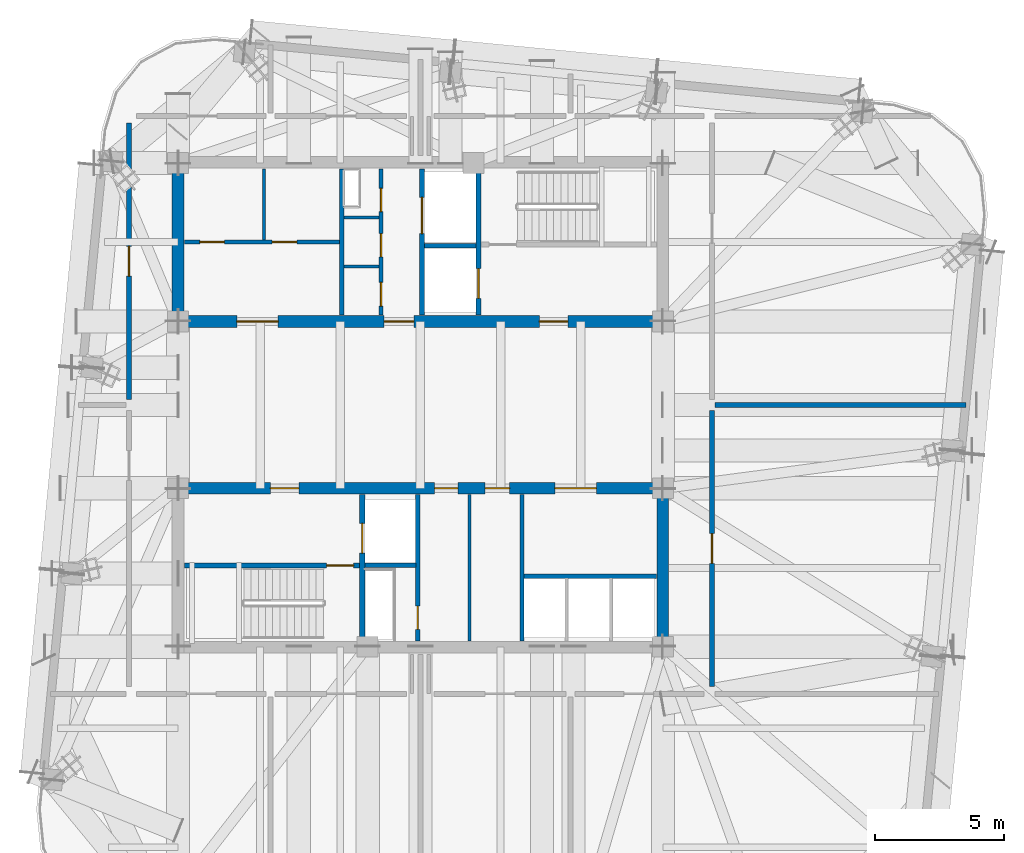
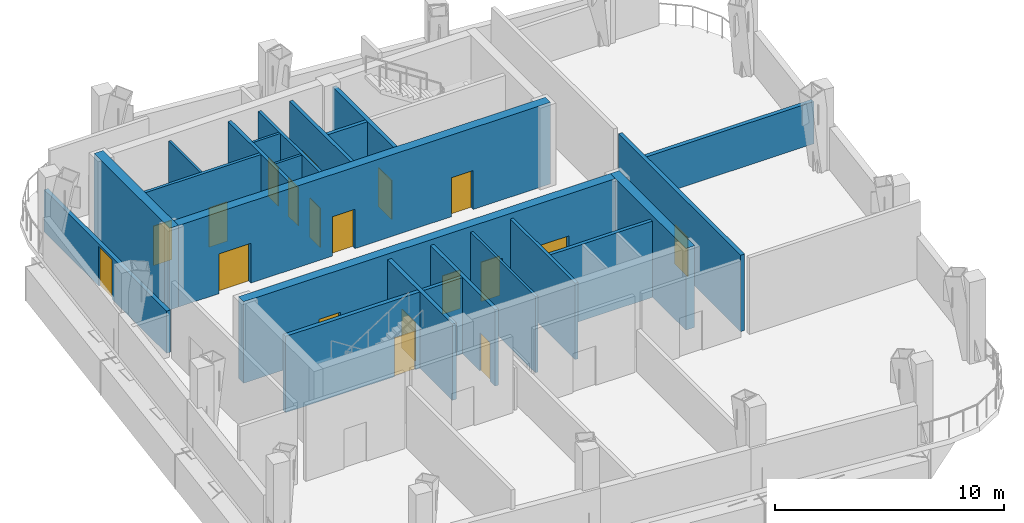
# One storey, part 5 of 9: 23 walls, 19 doors, 19 openings.
"""IFC4 building model written with IfcOpenShell, lengths in metres."""

from ifc_helpers import new_model, si_unit, direction, frame, frame_2d, origin, place, context, subcontext, project, spatial, rectangle, extrude, material, layer, layer_set, type_object, element, fill, save


model = new_model("IFC4")

# Units and contexts
model_context = context("Model", 3, precision=1e-05, world=origin(), true_north=direction((0.0, 1.0)))
body_context = subcontext(model_context, "Body", "Model", "MODEL_VIEW")
ifc_project = project(units=[si_unit("LENGTHUNIT", "METRE"), si_unit("AREAUNIT", "SQUARE_METRE"), si_unit("VOLUMEUNIT", "CUBIC_METRE"), si_unit("PLANEANGLEUNIT", "RADIAN"), si_unit("MASSUNIT", "GRAM", prefix="KILO")], contexts=[model_context])

# Site, building, storey
site_placement = place(None, origin())
site = spatial("IfcSite", under=ifc_project, at=site_placement, CompositionType="ELEMENT")
building_placement = place(site_placement, origin())
building = spatial("IfcBuilding", under=site, at=building_placement, Name="Qhalaya Broadcast Tower", CompositionType="ELEMENT")
storey_placement = place(building_placement, frame((0.0, 0.0, 284.89990234375)))
storey = spatial("IfcBuildingStorey", under=building, at=storey_placement, Name="L84", CompositionType="ELEMENT", Elevation=284.89990234375)

# Wall, openings, doors
ifc_material_1 = material(Name="Gypsum Acoustic Partition")
ifc_layer_1 = layer(ifc_material_1, 0.14990234375, Name="Gypsum Acoustic Partition")
ifc_layer_set_1 = layer_set([ifc_layer_1], Name="Gypsum Acoustic Partition")
wall_type_1 = type_object("IfcWallType", Name="Corridor & Tenancy Acoustic Partition 150", PredefinedType="PARTITIONING", material=ifc_layer_set_1)
wall_1_placement = place(storey_placement, frame((-1.52001953125, 4.070068359375, 0.0), z_axis=(0.0, 0.0, 1.0), x_axis=(0.0, 1.0, 0.0)))
wall_1 = element("IfcWall", 1, at=wall_1_placement, inside=storey, type_object=wall_type_1, Name="L84 Partition Wall NCW-SVL", PredefinedType="PARTITIONING", context=body_context, shape_type="SweptSolid", body=[
    extrude(rectangle(XDim=5.659912109375, YDim=0.14990234375, at=frame_2d((2.830078125, 0.0))), origin(), (0.0, 0.0, 1.0), 4.070068359375),
])
opening_1_placement = place(wall_1_placement, frame((4.0, 0.0, 0.0)))
opening_1 = element("IfcOpeningElement", 2, at=opening_1_placement, cuts=wall_1, Name="Opening D06", PredefinedType="OPENING", context=body_context, shape_type="SweptSolid", body=[
    extrude(rectangle(XDim=0.89990234375, YDim=2.050048828125, at=frame_2d((0.449951171875, 1.02490234375))), frame((0.0, 0.0869140625, 0.0), z_axis=(0.0, -1.0, 0.0), x_axis=(1.0, 0.0, 0.0)), (0.0, 0.0, 1.0), 0.173828125),
])
opening_2_placement = place(wall_1_placement, frame((2.25, 0.0, 0.0)))
opening_2 = element("IfcOpeningElement", 3, at=opening_2_placement, cuts=wall_1, Name="Opening D06", PredefinedType="OPENING", context=body_context, shape_type="SweptSolid", body=[
    extrude(rectangle(XDim=0.89990234375, YDim=2.050048828125, at=frame_2d((0.449951171875, 1.02490234375))), frame((0.0, 0.0869140625, 0.0), z_axis=(0.0, -1.0, 0.0), x_axis=(1.0, 0.0, 0.0)), (0.0, 0.0, 1.0), 0.173828125),
])
opening_3_placement = place(wall_1_placement, frame((0.35009765625, 0.0, 0.0)))
opening_3 = element("IfcOpeningElement", 4, at=opening_3_placement, cuts=wall_1, Name="Opening D12", PredefinedType="OPENING", context=body_context, shape_type="SweptSolid", body=[
    extrude(rectangle(XDim=0.919921875, YDim=2.10009765625, at=frame_2d((0.4599609375, 1.050048828125))), frame((0.0, 0.0869140625, 0.0), z_axis=(0.0, -1.0, 0.0), x_axis=(1.0, 0.0, 0.0)), (0.0, 0.0, 1.0), 0.173828125),
])
ifc_material_2 = material(Name="Timber Veneer Acoustic Door", Category="wood")
door_type_1 = type_object("IfcDoorType", Name="Accessible WC & Restroom Door D12", OperationType="NOTDEFINED", PredefinedType="DOOR", material=ifc_material_2)
door_1_placement = place(opening_3_placement, origin())
door_1 = element("IfcDoor", 5, at=door_1_placement, inside=storey, type_object=door_type_1, Name="L84 Door D-NCWC", OperationType="SINGLE_SWING_RIGHT", OverallHeight=2.10009765625, OverallWidth=0.919921875, PredefinedType="DOOR", context=body_context, shape_type="SweptSolid", body=[
    extrude(rectangle(XDim=0.919921875, YDim=2.10009765625, at=frame_2d((0.4599609375, 1.050048828125))), frame((0.0, 0.02490234375, 0.0), z_axis=(0.0, -1.0, 0.0), x_axis=(1.0, 0.0, 0.0)), (0.0, 0.0, 1.0), 0.050048828125),
])
fill(opening_3, door_1)
ifc_material_3 = material(Name="Fire-Rated Steel Door", Category="steel")
door_type_2 = type_object("IfcDoorType", Name="Riser & Electrical Shaft Access Door D06", OperationType="NOTDEFINED", PredefinedType="DOOR", material=ifc_material_3)
door_2_placement = place(opening_1_placement, origin())
door_2 = element("IfcDoor", 6, at=door_2_placement, inside=storey, type_object=door_type_2, Name="L84 Riser Shaft Access Door D-NRSR", OperationType="SINGLE_SWING_RIGHT", OverallHeight=2.050048828125, OverallWidth=0.89990234375, PredefinedType="DOOR", context=body_context, shape_type="SweptSolid", body=[
    extrude(rectangle(XDim=0.89990234375, YDim=2.050048828125, at=frame_2d((0.449951171875, 1.02490234375))), frame((0.0, 0.02490234375, 0.0), z_axis=(0.0, -1.0, 0.0), x_axis=(1.0, 0.0, 0.0)), (0.0, 0.0, 1.0), 0.050048828125),
])
fill(opening_1, door_2)
door_3_placement = place(opening_2_placement, origin())
door_3 = element("IfcDoor", 7, at=door_3_placement, inside=storey, type_object=door_type_2, Name="L84 Door D-NITR", OperationType="SINGLE_SWING_LEFT", OverallHeight=2.050048828125, OverallWidth=0.89990234375, PredefinedType="DOOR", context=body_context, shape_type="SweptSolid", body=[
    extrude(rectangle(XDim=0.89990234375, YDim=2.050048828125, at=frame_2d((0.449951171875, 1.02490234375))), frame((0.0, 0.02490234375, 0.0), z_axis=(0.0, -1.0, 0.0), x_axis=(1.0, 0.0, 0.0)), (0.0, 0.0, 1.0), 0.050048828125),
])
fill(opening_2, door_3)

wall_2_placement = place(storey_placement, frame((-9.1298828125, 6.89990234375, 0.0), z_axis=(0.0, 0.0, 1.0), x_axis=(1.0, 0.0, 0.0)))
wall_2 = element("IfcWall", 8, at=wall_2_placement, inside=storey, type_object=wall_type_1, Name="L84 Partition Wall NCW-REC1", PredefinedType="PARTITIONING", context=body_context, shape_type="SweptSolid", body=[
    extrude(rectangle(XDim=6.009765625, YDim=0.14990234375, at=frame_2d((3.0048828125, 0.0))), origin(), (0.0, 0.0, 1.0), 4.070068359375),
])
opening_4_placement = place(wall_2_placement, frame((0.60009765625, 0.0, 0.0)))
opening_4 = element("IfcOpeningElement", 9, at=opening_4_placement, cuts=wall_2, Name="Opening D10", PredefinedType="OPENING", context=body_context, shape_type="SweptSolid", body=[
    extrude(rectangle(XDim=0.949951171875, YDim=2.10009765625, at=frame_2d((0.47509765625, 1.050048828125))), frame((0.0, 0.0869140625, 0.0), z_axis=(0.0, -1.0, 0.0), x_axis=(1.0, 0.0, 0.0)), (0.0, 0.0, 1.0), 0.173828125),
])
opening_5_placement = place(wall_2_placement, frame((3.39990234375, 0.0, 0.0)))
opening_5 = element("IfcOpeningElement", 10, at=opening_5_placement, cuts=wall_2, Name="Opening D10", PredefinedType="OPENING", context=body_context, shape_type="SweptSolid", body=[
    extrude(rectangle(XDim=0.949951171875, YDim=2.10009765625, at=frame_2d((0.47509765625, 1.050048828125))), frame((0.0, 0.0869140625, 0.0), z_axis=(0.0, -1.0, 0.0), x_axis=(1.0, 0.0, 0.0)), (0.0, 0.0, 1.0), 0.173828125),
])
door_type_3 = type_object("IfcDoorType", Name="Cellular Office & Edit Booth Door D10", OperationType="NOTDEFINED", PredefinedType="DOOR", material=ifc_material_2)
door_4_placement = place(opening_4_placement, origin())
door_4 = element("IfcDoor", 11, at=door_4_placement, inside=storey, type_object=door_type_3, Name="L84 Door D-NREC1", OperationType="SINGLE_SWING_LEFT", OverallHeight=2.10009765625, OverallWidth=0.949951171875, PredefinedType="DOOR", context=body_context, shape_type="SweptSolid", body=[
    extrude(rectangle(XDim=0.949951171875, YDim=2.10009765625, at=frame_2d((0.47509765625, 1.050048828125))), frame((0.0, 0.02490234375, 0.0), z_axis=(0.0, -1.0, 0.0), x_axis=(1.0, 0.0, 0.0)), (0.0, 0.0, 1.0), 0.050048828125),
])
fill(opening_4, door_4)
door_5_placement = place(opening_5_placement, origin())
door_5 = element("IfcDoor", 12, at=door_5_placement, inside=storey, type_object=door_type_3, Name="L84 Door D-NREC2", OperationType="SINGLE_SWING_RIGHT", OverallHeight=2.10009765625, OverallWidth=0.949951171875, PredefinedType="DOOR", context=body_context, shape_type="SweptSolid", body=[
    extrude(rectangle(XDim=0.949951171875, YDim=2.10009765625, at=frame_2d((0.47509765625, 1.050048828125))), frame((0.0, 0.02490234375, 0.0), z_axis=(0.0, -1.0, 0.0), x_axis=(1.0, 0.0, 0.0)), (0.0, 0.0, 1.0), 0.050048828125),
])
fill(opening_5, door_5)

# Walls
wall_3_placement = place(storey_placement, frame((3.919921875, -8.530029296875, 0.0), z_axis=(0.0, 0.0, 1.0), x_axis=(0.0, 1.0, 0.0)))
element("IfcWall", 13, at=wall_3_placement, inside=storey, type_object=wall_type_1, Name="L84 Partition Wall SCW-HSEP", PredefinedType="PARTITIONING", context=body_context, shape_type="SweptSolid", body=[
    extrude(rectangle(XDim=5.659912109375, YDim=0.14990234375, at=frame_2d((2.830078125, 0.0))), origin(), (0.0, 0.0, 1.0), 4.070068359375),
])
ifc_layer_2 = layer(ifc_material_1, 0.199951171875, Name="Gypsum Acoustic Partition")
ifc_layer_set_2 = layer_set([ifc_layer_2], Name="Gypsum Acoustic Partition")
wall_type_2 = type_object("IfcWallType", Name="Firefighting Lobby & Stair Enclosure Wall 200", PredefinedType="PARTITIONING", material=ifc_layer_set_2)
wall_4_placement = place(storey_placement, frame((11.389892578125, 0.60009765625, 0.0), z_axis=(0.0, 0.0, 1.0), x_axis=(1.0, 0.0, 0.0)))
element("IfcWall", 14, at=wall_4_placement, inside=storey, type_object=wall_type_2, Name="L84 Partition Wall W-PDE1", PredefinedType="PARTITIONING", context=body_context, shape_type="SweptSolid", body=[
    extrude(rectangle(XDim=9.707763671875, YDim=0.199951171875, at=frame_2d((4.85400390625, 0.0))), origin(), (0.0, 0.0, 1.0), 2.25),
])

# Wall, opening, door
wall_5_placement = place(storey_placement, frame((-11.27001953125, 11.489990234375, 0.0), z_axis=(0.0, 0.0, 1.0), x_axis=(0.0, -1.0, 0.0)))
wall_5 = element("IfcWall", 15, at=wall_5_placement, inside=storey, type_object=wall_type_2, Name="L84 Partition Wall W-PCW2", PredefinedType="PARTITIONING", context=body_context, shape_type="SweptSolid", body=[
    extrude(rectangle(XDim=10.679931640625, YDim=0.199951171875, at=frame_2d((5.33984375, 0.0))), origin(), (0.0, 0.0, 1.0), 2.25),
])
opening_6_placement = place(wall_5_placement, frame((4.764892578125, 0.0, 0.0)))
opening_6 = element("IfcOpeningElement", 16, at=opening_6_placement, cuts=wall_5, Name="Opening D05", PredefinedType="OPENING", context=body_context, shape_type="SweptSolid", body=[
    extrude(rectangle(XDim=1.14990234375, YDim=2.10009765625, at=frame_2d((0.574951171875, 1.050048828125))), frame((0.0, 0.112060546875, 0.0), z_axis=(0.0, -1.0, 0.0), x_axis=(1.0, 0.0, 0.0)), (0.0, 0.0, 1.0), 0.223876953125),
])
door_type_4 = type_object("IfcDoorType", Name="Refuge & Plant Room Fire Door D05", OperationType="NOTDEFINED", PredefinedType="DOOR", material=ifc_material_3)
door_6_placement = place(opening_6_placement, origin())
door_6 = element("IfcDoor", 17, at=door_6_placement, inside=storey, type_object=door_type_4, Name="L84 Door D-PCW2", OperationType="SINGLE_SWING_RIGHT", OverallHeight=2.10009765625, OverallWidth=1.14990234375, PredefinedType="DOOR", context=body_context, shape_type="SweptSolid", body=[
    extrude(rectangle(XDim=1.14990234375, YDim=2.10009765625, at=frame_2d((0.574951171875, 1.050048828125))), frame((0.0, 0.02490234375, 0.0), z_axis=(0.0, -1.0, 0.0), x_axis=(1.0, 0.0, 0.0)), (0.0, 0.0, 1.0), 0.050048828125),
])
fill(opening_6, door_6)

wall_6_placement = place(storey_placement, frame((11.27001953125, -10.2900390625, 0.0), z_axis=(0.0, 0.0, 1.0), x_axis=(0.0, 1.0, 0.0)))
wall_6 = element("IfcWall", 18, at=wall_6_placement, inside=storey, type_object=wall_type_2, Name="L84 Partition Wall W-PCE1", PredefinedType="PARTITIONING", context=body_context, shape_type="SweptSolid", body=[
    extrude(rectangle(XDim=10.679931640625, YDim=0.199951171875, at=frame_2d((5.33984375, 0.0))), origin(), (0.0, 0.0, 1.0), 4.070068359375),
])
opening_7_placement = place(wall_6_placement, frame((4.764892578125, 0.0, 0.0)))
opening_7 = element("IfcOpeningElement", 19, at=opening_7_placement, cuts=wall_6, Name="Opening D05", PredefinedType="OPENING", context=body_context, shape_type="SweptSolid", body=[
    extrude(rectangle(XDim=1.14990234375, YDim=2.10009765625, at=frame_2d((0.574951171875, 1.050048828125))), frame((0.0, 0.112060546875, 0.0), z_axis=(0.0, -1.0, 0.0), x_axis=(1.0, 0.0, 0.0)), (0.0, 0.0, 1.0), 0.223876953125),
])
door_7_placement = place(opening_7_placement, origin())
door_7 = element("IfcDoor", 20, at=door_7_placement, inside=storey, type_object=door_type_4, Name="L84 Door D-PCE1", OperationType="SINGLE_SWING_RIGHT", OverallHeight=2.10009765625, OverallWidth=1.14990234375, PredefinedType="DOOR", context=body_context, shape_type="SweptSolid", body=[
    extrude(rectangle(XDim=1.14990234375, YDim=2.10009765625, at=frame_2d((0.574951171875, 1.050048828125))), frame((0.0, 0.02490234375, 0.0), z_axis=(0.0, -1.0, 0.0), x_axis=(1.0, 0.0, 0.0)), (0.0, 0.0, 1.0), 0.050048828125),
])
fill(opening_7, door_7)

ifc_material_4 = material(Name="Concrete C50/60", Category="concrete")
ifc_layer_3 = layer(ifc_material_4, 0.199951171875, Name="Concrete C50/60")
ifc_layer_set_3 = layer_set([ifc_layer_3], Name="Concrete C50/60")
wall_type_3 = type_object("IfcWallType", Name="Load-Bearing Stair Shaft Wall 200", PredefinedType="SHEAR", material=ifc_layer_set_3)
wall_7_placement = place(storey_placement, frame((2.25, 4.070068359375, 0.0), z_axis=(0.0, 0.0, 1.0), x_axis=(0.0, 1.0, 0.0)))
wall_7 = element("IfcWall", 21, at=wall_7_placement, inside=storey, type_object=wall_type_3, Name="L84 Stair Core Shear Wall NCW-FF", PredefinedType="SHEAR", context=body_context, shape_type="SweptSolid", body=[
    extrude(rectangle(XDim=5.659912109375, YDim=0.199951171875, at=frame_2d((2.830078125, 0.0))), origin(), (0.0, 0.0, 1.0), 4.070068359375),
])
opening_8_placement = place(wall_7_placement, frame((0.64990234375, 0.0, 0.0)))
opening_8 = element("IfcOpeningElement", 22, at=opening_8_placement, cuts=wall_7, Name="Opening LD2", PredefinedType="OPENING", context=body_context, shape_type="SweptSolid", body=[
    extrude(rectangle(XDim=1.14990234375, YDim=2.080078125, at=frame_2d((0.574951171875, 1.0400390625))), frame((0.0, 0.112060546875, 0.0), z_axis=(0.0, -1.0, 0.0), x_axis=(1.0, 0.0, 0.0)), (0.0, 0.0, 1.0), 0.223876953125),
])
ifc_material_5 = material(Name="Brushed Stainless Steel Lift Door", Category="steel")
door_type_5 = type_object("IfcDoorType", Name="Firefighting Lift Sliding Landing Door LD2", OperationType="DOUBLE_DOOR_SLIDING", PredefinedType="DOOR", material=ifc_material_5)
door_8_placement = place(opening_8_placement, origin())
door_8 = element("IfcDoor", 23, at=door_8_placement, inside=storey, type_object=door_type_5, Name="L84 Door LD-FF1", OperationType="DOUBLE_DOOR_SLIDING", OverallHeight=2.080078125, OverallWidth=1.14990234375, PredefinedType="DOOR", context=body_context, shape_type="SweptSolid", body=[
    extrude(rectangle(XDim=1.14990234375, YDim=2.080078125, at=frame_2d((0.574951171875, 1.0400390625))), frame((0.0, 0.02490234375, 0.0), z_axis=(0.0, -1.0, 0.0), x_axis=(1.0, 0.0, 0.0)), (0.0, 0.0, 1.0), 0.050048828125),
])
fill(opening_8, door_8)

wall_8_placement = place(storey_placement, frame((-9.1298828125, -5.60498046875, 0.0), z_axis=(0.0, 0.0, 1.0), x_axis=(1.0, 0.0, 0.0)))
wall_8 = element("IfcWall", 24, at=wall_8_placement, inside=storey, type_object=wall_type_3, Name="L84 Stair Core Shear Wall SCW-ST2", PredefinedType="SHEAR", context=body_context, shape_type="SweptSolid", body=[
    extrude(rectangle(XDim=6.769775390625, YDim=0.199951171875, at=frame_2d((3.384765625, 0.0))), origin(), (0.0, 0.0, 1.0), 4.070068359375),
])
opening_9_placement = place(wall_8_placement, frame((5.5, 0.0, 0.0)))
opening_9 = element("IfcOpeningElement", 25, at=opening_9_placement, cuts=wall_8, Name="Opening D03", PredefinedType="OPENING", context=body_context, shape_type="SweptSolid", body=[
    extrude(rectangle(XDim=1.050048828125, YDim=2.080078125, at=frame_2d((0.52490234375, 1.0400390625))), frame((0.0, 0.112060546875, 0.0), z_axis=(0.0, -1.0, 0.0), x_axis=(1.0, 0.0, 0.0)), (0.0, 0.0, 1.0), 0.223876953125),
])
door_type_6 = type_object("IfcDoorType", Name="Core Stair Protected Fire Door D03", OperationType="NOTDEFINED", PredefinedType="DOOR", material=ifc_material_3)
door_9_placement = place(opening_9_placement, origin())
door_9 = element("IfcDoor", 26, at=door_9_placement, inside=storey, type_object=door_type_6, Name="L84 Door D-SST2", OperationType="SINGLE_SWING_RIGHT", OverallHeight=2.080078125, OverallWidth=1.050048828125, PredefinedType="DOOR", context=body_context, shape_type="SweptSolid", body=[
    extrude(rectangle(XDim=1.050048828125, YDim=2.080078125, at=frame_2d((0.52490234375, 1.0400390625))), frame((0.0, 0.02490234375, 0.0), z_axis=(0.0, -1.0, 0.0), x_axis=(1.0, 0.0, 0.0)), (0.0, 0.0, 1.0), 0.050048828125),
])
fill(opening_9, door_9)

wall_9_placement = place(storey_placement, frame((-2.25, -8.530029296875, 0.0), z_axis=(0.0, 0.0, 1.0), x_axis=(0.0, 1.0, 0.0)))
wall_9 = element("IfcWall", 27, at=wall_9_placement, inside=storey, type_object=wall_type_3, Name="L84 Stair Core Shear Wall SCW-FF", PredefinedType="SHEAR", context=body_context, shape_type="SweptSolid", body=[
    extrude(rectangle(XDim=5.659912109375, YDim=0.199951171875, at=frame_2d((2.830078125, 0.0))), origin(), (0.0, 0.0, 1.0), 4.070068359375),
])
opening_10_placement = place(wall_9_placement, frame((3.39990234375, 0.0, 0.0)))
opening_10 = element("IfcOpeningElement", 28, at=opening_10_placement, cuts=wall_9, Name="Opening LD2", PredefinedType="OPENING", context=body_context, shape_type="SweptSolid", body=[
    extrude(rectangle(XDim=1.14990234375, YDim=2.080078125, at=frame_2d((0.574951171875, 1.0400390625))), frame((0.0, 0.112060546875, 0.0), z_axis=(0.0, -1.0, 0.0), x_axis=(1.0, 0.0, 0.0)), (0.0, 0.0, 1.0), 0.223876953125),
])
door_10_placement = place(opening_10_placement, origin())
door_10 = element("IfcDoor", 29, at=door_10_placement, inside=storey, type_object=door_type_5, Name="L84 Door LD-FF2", OperationType="DOUBLE_DOOR_SLIDING", OverallHeight=2.080078125, OverallWidth=1.14990234375, PredefinedType="DOOR", context=body_context, shape_type="SweptSolid", body=[
    extrude(rectangle(XDim=1.14990234375, YDim=2.080078125, at=frame_2d((0.574951171875, 1.0400390625))), frame((0.0, 0.02490234375, 0.0), z_axis=(0.0, -1.0, 0.0), x_axis=(1.0, 0.0, 0.0)), (0.0, 0.0, 1.0), 0.050048828125),
])
fill(opening_10, door_10)

# Walls
ifc_layer_4 = layer(ifc_material_1, 0.1201171875, Name="Gypsum Acoustic Partition")
ifc_layer_set_4 = layer_set([ifc_layer_4], Name="Gypsum Acoustic Partition")
wall_type_4 = type_object("IfcWallType", Name="Office, Booth & Sanitary Partition 120", PredefinedType="PARTITIONING", material=ifc_layer_set_4)
for number, where, z_axis, x_axis, name in (
    (30, (-2.9599609375, 5.949951171875, 0.0), (0.0, 0.0, 1.0), (1.0, 0.0, 0.0), "L84 Partition Wall NCW-VB1"),
    (31, (-2.9599609375, 7.85009765625, 0.0), (0.0, 0.0, 1.0), (1.0, 0.0, 0.0), "L84 Partition Wall NCW-VB2"),
):
    element("IfcWall", number, at=place(storey_placement, frame(where, z_axis=z_axis, x_axis=x_axis)), inside=storey, type_object=wall_type_4, Name=name, PredefinedType="PARTITIONING", context=body_context, shape_type="SweptSolid", body=[
        extrude(rectangle(XDim=1.35986328125, YDim=0.1201171875, at=frame_2d((0.679931640625, 0.0))), origin(), (0.0, 0.0, 1.0), 4.070068359375),
    ])
wall_10_placement = place(storey_placement, frame((-6.050048828125, 6.97998046875, 0.0), z_axis=(0.0, 0.0, 1.0), x_axis=(0.0, 1.0, 0.0)))
element("IfcWall", 32, at=wall_10_placement, inside=storey, type_object=wall_type_4, Name="L84 Partition Wall NCW-REC2", PredefinedType="PARTITIONING", context=body_context, shape_type="SweptSolid", body=[
    extrude(rectangle(XDim=2.75, YDim=0.1201171875, at=frame_2d((1.375, 0.0))), origin(), (0.0, 0.0, 1.0), 4.070068359375),
])
wall_11_placement = place(storey_placement, frame((1.89990234375, -8.530029296875, 0.0), z_axis=(0.0, 0.0, 1.0), x_axis=(0.0, 1.0, 0.0)))
element("IfcWall", 33, at=wall_11_placement, inside=storey, type_object=wall_type_4, Name="L84 Partition Wall SCW-RKB", PredefinedType="PARTITIONING", context=body_context, shape_type="SweptSolid", body=[
    extrude(rectangle(XDim=5.659912109375, YDim=0.1201171875, at=frame_2d((2.830078125, 0.0))), origin(), (0.0, 0.0, 1.0), 4.070068359375),
])

# Wall, opening, door
ifc_layer_5 = layer(ifc_material_1, 0.175048828125, Name="Gypsum Acoustic Partition")
ifc_layer_set_5 = layer_set([ifc_layer_5], Name="Gypsum Acoustic Partition")
wall_type_5 = type_object("IfcWallType", Name="Shaft & Riser Fire Partition 175", PredefinedType="PARTITIONING", material=ifc_layer_set_5)
wall_12_placement = place(storey_placement, frame((0.06005859375, 4.070068359375, 0.0), z_axis=(0.0, 0.0, 1.0), x_axis=(0.0, 1.0, 0.0)))
wall_12 = element("IfcWall", 34, at=wall_12_placement, inside=storey, type_object=wall_type_5, Name="L84 Partition Wall NCW-SVW", PredefinedType="PARTITIONING", context=body_context, shape_type="SweptSolid", body=[
    extrude(rectangle(XDim=5.659912109375, YDim=0.175048828125, at=frame_2d((2.830078125, 0.0))), origin(), (0.0, 0.0, 1.0), 4.070068359375),
])
opening_11_placement = place(wall_12_placement, frame((3.14990234375, 0.0, 0.0)))
opening_11 = element("IfcOpeningElement", 35, at=opening_11_placement, cuts=wall_12, Name="Opening LD3", PredefinedType="OPENING", context=body_context, shape_type="SweptSolid", body=[
    extrude(rectangle(XDim=1.39990234375, YDim=2.1201171875, at=frame_2d((0.699951171875, 1.06005859375))), frame((0.0, 0.099609375, 0.0), z_axis=(0.0, -1.0, 0.0), x_axis=(1.0, 0.0, 0.0)), (0.0, 0.0, 1.0), 0.198974609375),
])
door_type_7 = type_object("IfcDoorType", Name="Service Lift Wide Sliding Landing Door LD3", OperationType="DOUBLE_DOOR_SLIDING", PredefinedType="DOOR", material=ifc_material_5)
door_11_placement = place(opening_11_placement, origin())
door_11 = element("IfcDoor", 36, at=door_11_placement, inside=storey, type_object=door_type_7, Name="L84 Door LD-SV1", OperationType="DOUBLE_DOOR_SLIDING", OverallHeight=2.1201171875, OverallWidth=1.39990234375, PredefinedType="DOOR", context=body_context, shape_type="SweptSolid", body=[
    extrude(rectangle(XDim=1.39990234375, YDim=2.1201171875, at=frame_2d((0.699951171875, 1.06005859375))), frame((0.0, 0.02490234375, 0.0), z_axis=(0.0, -1.0, 0.0), x_axis=(1.0, 0.0, 0.0)), (0.0, 0.0, 1.0), 0.050048828125),
])
fill(opening_11, door_11)

# Walls
wall_13_placement = place(storey_placement, frame((0.159912109375, 6.75, 0.0), z_axis=(0.0, 0.0, 1.0), x_axis=(1.0, 0.0, 0.0)))
element("IfcWall", 37, at=wall_13_placement, inside=storey, type_object=wall_type_5, Name="L84 Partition Wall NCW-SVM", PredefinedType="PARTITIONING", context=body_context, shape_type="SweptSolid", body=[
    extrude(rectangle(XDim=1.97998046875, YDim=0.175048828125, at=frame_2d((0.989990234375, 0.0))), origin(), (0.0, 0.0, 1.0), 4.070068359375),
])
wall_14_placement = place(storey_placement, frame((-3.0400390625, 4.070068359375, 0.0), z_axis=(0.0, 0.0, 1.0), x_axis=(0.0, 1.0, 0.0)))
element("IfcWall", 38, at=wall_14_placement, inside=storey, type_object=wall_type_5, Name="L84 Partition Wall NCW-VRW", PredefinedType="PARTITIONING", context=body_context, shape_type="SweptSolid", body=[
    extrude(rectangle(XDim=5.659912109375, YDim=0.175048828125, at=frame_2d((2.830078125, 0.0))), origin(), (0.0, 0.0, 1.0), 4.070068359375),
])

# Wall, opening, door
wall_15_placement = place(storey_placement, frame((-0.10009765625, -8.530029296875, 0.0), z_axis=(0.0, 0.0, 1.0), x_axis=(0.0, 1.0, 0.0)))
wall_15 = element("IfcWall", 39, at=wall_15_placement, inside=storey, type_object=wall_type_5, Name="L84 Partition Wall SCW-FFE", PredefinedType="PARTITIONING", context=body_context, shape_type="SweptSolid", body=[
    extrude(rectangle(XDim=5.659912109375, YDim=0.175048828125, at=frame_2d((2.830078125, 0.0))), origin(), (0.0, 0.0, 1.0), 4.070068359375),
])
opening_12_placement = place(wall_15_placement, frame((0.449951171875, 0.0, 0.0)))
opening_12 = element("IfcOpeningElement", 40, at=opening_12_placement, cuts=wall_15, Name="Opening D06", PredefinedType="OPENING", context=body_context, shape_type="SweptSolid", body=[
    extrude(rectangle(XDim=0.89990234375, YDim=2.050048828125, at=frame_2d((0.449951171875, 1.02490234375))), frame((0.0, 0.099609375, 0.0), z_axis=(0.0, -1.0, 0.0), x_axis=(1.0, 0.0, 0.0)), (0.0, 0.0, 1.0), 0.198974609375),
])
door_12_placement = place(opening_12_placement, origin())
door_12 = element("IfcDoor", 41, at=door_12_placement, inside=storey, type_object=door_type_2, Name="L84 Riser Shaft Access Door D-SRSR", OperationType="SINGLE_SWING_LEFT", OverallHeight=2.050048828125, OverallWidth=0.89990234375, PredefinedType="DOOR", context=body_context, shape_type="SweptSolid", body=[
    extrude(rectangle(XDim=0.89990234375, YDim=2.050048828125, at=frame_2d((0.449951171875, 1.02490234375))), frame((0.0, 0.02490234375, 0.0), z_axis=(0.0, -1.0, 0.0), x_axis=(1.0, 0.0, 0.0)), (0.0, 0.0, 1.0), 0.050048828125),
])
fill(opening_12, door_12)

# Walls
wall_16_placement = place(storey_placement, frame((-2.14990234375, -5.60009765625, 0.0), z_axis=(0.0, 0.0, 1.0), x_axis=(1.0, 0.0, 0.0)))
element("IfcWall", 42, at=wall_16_placement, inside=storey, type_object=wall_type_5, Name="L84 Partition Wall SCW-FFM", PredefinedType="PARTITIONING", context=body_context, shape_type="SweptSolid", body=[
    extrude(rectangle(XDim=1.969970703125, YDim=0.175048828125, at=frame_2d((0.98486328125, 0.0))), origin(), (0.0, 0.0, 1.0), 4.070068359375),
])
wall_17_placement = place(storey_placement, frame((4.0, -6.02001953125, 0.0), z_axis=(0.0, 0.0, 1.0), x_axis=(1.0, 0.0, 0.0)))
element("IfcWall", 43, at=wall_17_placement, inside=storey, type_object=wall_type_5, Name="L84 Partition Wall SCW-SLB", PredefinedType="PARTITIONING", context=body_context, shape_type="SweptSolid", body=[
    extrude(rectangle(XDim=5.1298828125, YDim=0.175048828125, at=frame_2d((2.56494140625, 0.0))), origin(), (0.0, 0.0, 1.0), 4.070068359375),
])

# Wall, openings, doors
ifc_layer_6 = layer(ifc_material_4, 0.449951171875, Name="Concrete C50/60")
ifc_layer_set_6 = layer_set([ifc_layer_6], Name="Concrete C50/60")
wall_type_6 = type_object("IfcWallType", Name="Upper Split-Core Shear Wall 450", PredefinedType="SHEAR", material=ifc_layer_set_6)
wall_18_placement = place(storey_placement, frame((-9.60009765625, 3.824951171875, 0.0), z_axis=(0.0, 0.0, 1.0), x_axis=(1.0, 0.0, 0.0)))
wall_18 = element("IfcWall", 44, at=wall_18_placement, inside=storey, type_object=wall_type_6, Name="L84 Split-Core Shear Wall CW-NS", PredefinedType="SHEAR", context=body_context, shape_type="SweptSolid", body=[
    extrude(rectangle(XDim=19.2001953125, YDim=0.449951171875, at=frame_2d((9.60009765625, 0.0))), origin(), (0.0, 0.0, 1.0), 4.35009765625),
])
opening_13_placement = place(wall_18_placement, frame((14.199951171875, 0.0, 0.0)))
opening_13 = element("IfcOpeningElement", 45, at=opening_13_placement, cuts=wall_18, Name="Opening D04", PredefinedType="OPENING", context=body_context, shape_type="SweptSolid", body=[
    extrude(rectangle(XDim=1.10009765625, YDim=2.080078125, at=frame_2d((0.550048828125, 1.0400390625))), frame((0.0, 0.237060546875, 0.0), z_axis=(0.0, -1.0, 0.0), x_axis=(1.0, 0.0, 0.0)), (0.0, 0.0, 1.0), 0.473876953125),
])
opening_14_placement = place(wall_18_placement, frame((8.199951171875, 0.0, 0.0)))
opening_14 = element("IfcOpeningElement", 46, at=opening_14_placement, cuts=wall_18, Name="Opening D05", PredefinedType="OPENING", context=body_context, shape_type="SweptSolid", body=[
    extrude(rectangle(XDim=1.14990234375, YDim=2.10009765625, at=frame_2d((0.574951171875, 1.050048828125))), frame((0.0, 0.237060546875, 0.0), z_axis=(0.0, -1.0, 0.0), x_axis=(1.0, 0.0, 0.0)), (0.0, 0.0, 1.0), 0.473876953125),
])
opening_15_placement = place(wall_18_placement, frame((2.5, 0.0, 0.0)))
opening_15 = element("IfcOpeningElement", 47, at=opening_15_placement, cuts=wall_18, Name="Opening D07", PredefinedType="OPENING", context=body_context, shape_type="SweptSolid", body=[
    extrude(rectangle(XDim=1.60009765625, YDim=2.1201171875, at=frame_2d((0.800048828125, 1.06005859375))), frame((0.0, 0.237060546875, 0.0), z_axis=(0.0, -1.0, 0.0), x_axis=(1.0, 0.0, 0.0)), (0.0, 0.0, 1.0), 0.473876953125),
])
door_type_8 = type_object("IfcDoorType", Name="Firefighting Lobby Rated Door D04", OperationType="NOTDEFINED", PredefinedType="DOOR", material=ifc_material_3)
door_13_placement = place(opening_13_placement, origin())
door_13 = element("IfcDoor", 48, at=door_13_placement, inside=storey, type_object=door_type_8, Name="L84 Door D-NFF", OperationType="SINGLE_SWING_RIGHT", OverallHeight=2.080078125, OverallWidth=1.10009765625, PredefinedType="DOOR", context=body_context, shape_type="SweptSolid", body=[
    extrude(rectangle(XDim=1.10009765625, YDim=2.080078125, at=frame_2d((0.550048828125, 1.0400390625))), frame((0.0, 0.02490234375, 0.0), z_axis=(0.0, -1.0, 0.0), x_axis=(1.0, 0.0, 0.0)), (0.0, 0.0, 1.0), 0.050048828125),
])
fill(opening_13, door_13)
ifc_material_6 = material(Name="Anodised Aluminium Glazed Door", Category="aluminium")
door_type_9 = type_object("IfcDoorType", Name="Passenger Lift Lobby Double Glazed Door D07", OperationType="DOUBLE_DOOR_SINGLE_SWING", PredefinedType="DOOR", material=ifc_material_6)
door_14_placement = place(opening_15_placement, origin())
door_14 = element("IfcDoor", 49, at=door_14_placement, inside=storey, type_object=door_type_9, Name="L84 Door D-NRECV", OperationType="DOUBLE_DOOR_SINGLE_SWING", OverallHeight=2.1201171875, OverallWidth=1.60009765625, PredefinedType="DOOR", context=body_context, shape_type="SweptSolid", body=[
    extrude(rectangle(XDim=1.60009765625, YDim=2.1201171875, at=frame_2d((0.800048828125, 1.06005859375))), frame((0.0, 0.02490234375, 0.0), z_axis=(0.0, -1.0, 0.0), x_axis=(1.0, 0.0, 0.0)), (0.0, 0.0, 1.0), 0.050048828125),
])
fill(opening_15, door_14)
door_15_placement = place(opening_14_placement, origin())
door_15 = element("IfcDoor", 50, at=door_15_placement, inside=storey, type_object=door_type_4, Name="L84 Door D-NSVL", OperationType="SINGLE_SWING_LEFT", OverallHeight=2.10009765625, OverallWidth=1.14990234375, PredefinedType="DOOR", context=body_context, shape_type="SweptSolid", body=[
    extrude(rectangle(XDim=1.14990234375, YDim=2.10009765625, at=frame_2d((0.574951171875, 1.050048828125))), frame((0.0, 0.02490234375, 0.0), z_axis=(0.0, -1.0, 0.0), x_axis=(1.0, 0.0, 0.0)), (0.0, 0.0, 1.0), 0.050048828125),
])
fill(opening_14, door_15)

# Wall
wall_19_placement = place(storey_placement, frame((-9.375, 3.60009765625, 0.0), z_axis=(0.0, 0.0, 1.0), x_axis=(0.0, 1.0, 0.0)))
element("IfcWall", 51, at=wall_19_placement, inside=storey, type_object=wall_type_6, Name="L84 Split-Core Shear Wall CW-NW", PredefinedType="SHEAR", context=body_context, shape_type="SweptSolid", body=[
    extrude(rectangle(XDim=6.599853515625, YDim=0.449951171875, at=frame_2d((3.2998046875, 0.0))), origin(), (0.0, 0.0, 1.0), 4.35009765625),
])

# Wall, openings, doors
wall_20_placement = place(storey_placement, frame((-9.60009765625, -2.625, 0.0), z_axis=(0.0, 0.0, 1.0), x_axis=(1.0, 0.0, 0.0)))
wall_20 = element("IfcWall", 52, at=wall_20_placement, inside=storey, type_object=wall_type_6, Name="L84 Split-Core Shear Wall CW-SN", PredefinedType="SHEAR", context=body_context, shape_type="SweptSolid", body=[
    extrude(rectangle(XDim=19.2001953125, YDim=0.449951171875, at=frame_2d((9.60009765625, 0.0))), origin(), (0.0, 0.0, 1.0), 4.35009765625),
])
opening_16_placement = place(wall_20_placement, frame((3.800048828125, 0.0, 0.0)))
opening_16 = element("IfcOpeningElement", 53, at=opening_16_placement, cuts=wall_20, Name="Opening D04", PredefinedType="OPENING", context=body_context, shape_type="SweptSolid", body=[
    extrude(rectangle(XDim=1.10009765625, YDim=2.080078125, at=frame_2d((0.550048828125, 1.0400390625))), frame((0.0, 0.237060546875, 0.0), z_axis=(0.0, -1.0, 0.0), x_axis=(1.0, 0.0, 0.0)), (0.0, 0.0, 1.0), 0.473876953125),
])
opening_17_placement = place(wall_20_placement, frame((10.14990234375, 0.0, 0.0)))
opening_17 = element("IfcOpeningElement", 54, at=opening_17_placement, cuts=wall_20, Name="Opening D06", PredefinedType="OPENING", context=body_context, shape_type="SweptSolid", body=[
    extrude(rectangle(XDim=0.89990234375, YDim=2.050048828125, at=frame_2d((0.449951171875, 1.02490234375))), frame((0.0, 0.237060546875, 0.0), z_axis=(0.0, -1.0, 0.0), x_axis=(1.0, 0.0, 0.0)), (0.0, 0.0, 1.0), 0.473876953125),
])
opening_18_placement = place(wall_20_placement, frame((12.10009765625, 0.0, 0.0)))
opening_18 = element("IfcOpeningElement", 55, at=opening_18_placement, cuts=wall_20, Name="Opening D10", PredefinedType="OPENING", context=body_context, shape_type="SweptSolid", body=[
    extrude(rectangle(XDim=0.949951171875, YDim=2.10009765625, at=frame_2d((0.47509765625, 1.050048828125))), frame((0.0, 0.237060546875, 0.0), z_axis=(0.0, -1.0, 0.0), x_axis=(1.0, 0.0, 0.0)), (0.0, 0.0, 1.0), 0.473876953125),
])
opening_19_placement = place(wall_20_placement, frame((14.800048828125, 0.0, 0.0)))
opening_19 = element("IfcOpeningElement", 56, at=opening_19_placement, cuts=wall_20, Name="Opening D07", PredefinedType="OPENING", context=body_context, shape_type="SweptSolid", body=[
    extrude(rectangle(XDim=1.60009765625, YDim=2.1201171875, at=frame_2d((0.800048828125, 1.06005859375))), frame((0.0, 0.237060546875, 0.0), z_axis=(0.0, -1.0, 0.0), x_axis=(1.0, 0.0, 0.0)), (0.0, 0.0, 1.0), 0.473876953125),
])
door_16_placement = place(opening_18_placement, origin())
door_16 = element("IfcDoor", 57, at=door_16_placement, inside=storey, type_object=door_type_3, Name="L84 Door D-SREC2", OperationType="SINGLE_SWING_RIGHT", OverallHeight=2.10009765625, OverallWidth=0.949951171875, PredefinedType="DOOR", context=body_context, shape_type="SweptSolid", body=[
    extrude(rectangle(XDim=0.949951171875, YDim=2.10009765625, at=frame_2d((0.47509765625, 1.050048828125))), frame((0.0, 0.02490234375, 0.0), z_axis=(0.0, -1.0, 0.0), x_axis=(1.0, 0.0, 0.0)), (0.0, 0.0, 1.0), 0.050048828125),
])
fill(opening_18, door_16)
door_17_placement = place(opening_16_placement, origin())
door_17 = element("IfcDoor", 58, at=door_17_placement, inside=storey, type_object=door_type_8, Name="L84 Door D-SFF", OperationType="SINGLE_SWING_LEFT", OverallHeight=2.080078125, OverallWidth=1.10009765625, PredefinedType="DOOR", context=body_context, shape_type="SweptSolid", body=[
    extrude(rectangle(XDim=1.10009765625, YDim=2.080078125, at=frame_2d((0.550048828125, 1.0400390625))), frame((0.0, 0.02490234375, 0.0), z_axis=(0.0, -1.0, 0.0), x_axis=(1.0, 0.0, 0.0)), (0.0, 0.0, 1.0), 0.050048828125),
])
fill(opening_16, door_17)
door_18_placement = place(opening_19_placement, origin())
door_18 = element("IfcDoor", 59, at=door_18_placement, inside=storey, type_object=door_type_9, Name="L84 Door D-SPLL", OperationType="DOUBLE_DOOR_SINGLE_SWING", OverallHeight=2.1201171875, OverallWidth=1.60009765625, PredefinedType="DOOR", context=body_context, shape_type="SweptSolid", body=[
    extrude(rectangle(XDim=1.60009765625, YDim=2.1201171875, at=frame_2d((0.800048828125, 1.06005859375))), frame((0.0, 0.02490234375, 0.0), z_axis=(0.0, -1.0, 0.0), x_axis=(1.0, 0.0, 0.0)), (0.0, 0.0, 1.0), 0.050048828125),
])
fill(opening_19, door_18)
door_19_placement = place(opening_17_placement, origin())
door_19 = element("IfcDoor", 60, at=door_19_placement, inside=storey, type_object=door_type_2, Name="L84 Door D-SREC1", OperationType="SINGLE_SWING_LEFT", OverallHeight=2.050048828125, OverallWidth=0.89990234375, PredefinedType="DOOR", context=body_context, shape_type="SweptSolid", body=[
    extrude(rectangle(XDim=0.89990234375, YDim=2.050048828125, at=frame_2d((0.449951171875, 1.02490234375))), frame((0.0, 0.02490234375, 0.0), z_axis=(0.0, -1.0, 0.0), x_axis=(1.0, 0.0, 0.0)), (0.0, 0.0, 1.0), 0.050048828125),
])
fill(opening_17, door_19)

# Wall
wall_21_placement = place(storey_placement, frame((9.375, -9.0, 0.0), z_axis=(0.0, 0.0, 1.0), x_axis=(0.0, 1.0, 0.0)))
element("IfcWall", 61, at=wall_21_placement, inside=storey, type_object=wall_type_6, Name="L84 Split-Core Shear Wall CW-SE", PredefinedType="SHEAR", context=body_context, shape_type="SweptSolid", body=[
    extrude(rectangle(XDim=6.60009765625, YDim=0.449951171875, at=frame_2d((3.300048828125, 0.0))), origin(), (0.0, 0.0, 1.0), 4.35009765625),
])

save(model, "model.ifc")
